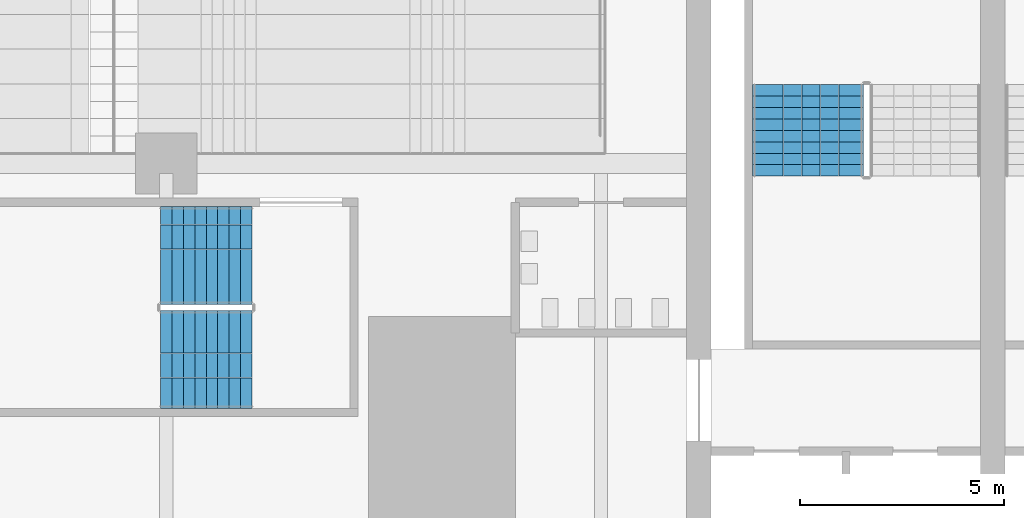
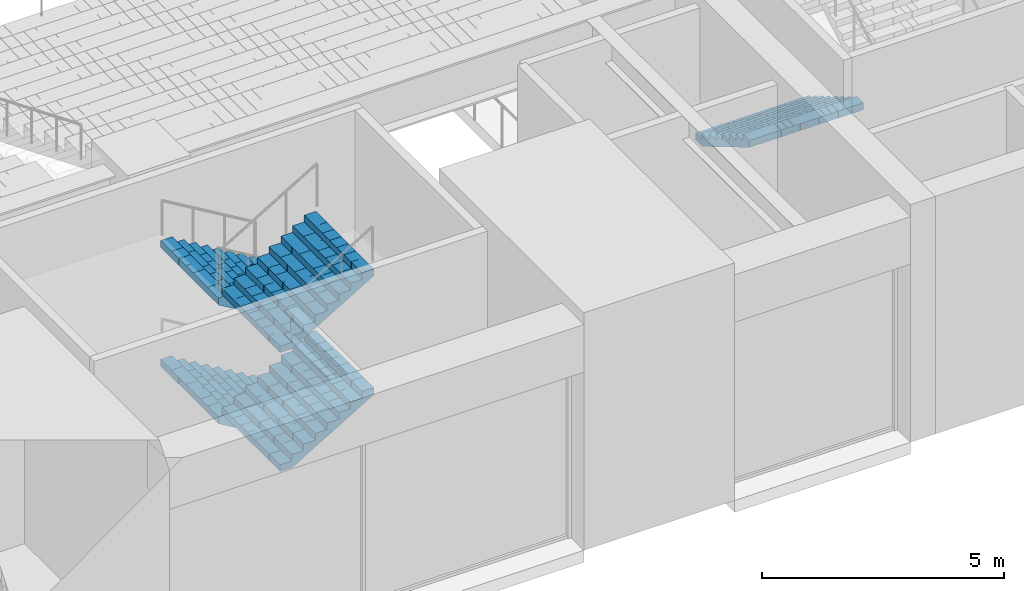
# One storey, part 39 of 61: 5 stair flights, 2 elements without a shape of their own.
"""IFC4 building model written with IfcOpenShell, lengths in metres."""

from ifc_helpers import new_model, si_unit, direction, frame, origin, place, context, subcontext, project, spatial, polyline, outline, extrude, material, type_object, element, aggregate, save


model = new_model("IFC4")

# Units and contexts
model_context = context("Model", 3, precision=1e-05, world=origin(), true_north=direction((0.0, 1.0)))
body_context = subcontext(model_context, "Body", "Model", "MODEL_VIEW")
ifc_project = project(units=[si_unit("LENGTHUNIT", "METRE"), si_unit("AREAUNIT", "SQUARE_METRE"), si_unit("VOLUMEUNIT", "CUBIC_METRE"), si_unit("PLANEANGLEUNIT", "RADIAN"), si_unit("MASSUNIT", "GRAM", prefix="KILO")], contexts=[model_context])

# Site, building, storey
site_placement = place(None, origin())
site = spatial("IfcSite", under=ifc_project, at=site_placement, CompositionType="ELEMENT")
building_placement = place(site_placement, origin())
building = spatial("IfcBuilding", under=site, at=building_placement, Name="Corbelhall Arena Tower", CompositionType="ELEMENT")
storey_placement = place(building_placement, frame((0.0, 0.0, 31.0)))
storey = spatial("IfcBuildingStorey", under=building, at=storey_placement, Name="L04", CompositionType="ELEMENT", Elevation=31.0)

# Stair, stair flights
ifc_material = material(Name="Reinforced concrete C40/50", Category="concrete")
stair_type = type_object("IfcStairType", Name="AR-EXIT-STAIR", PredefinedType="HALF_TURN_STAIR", material=ifc_material)
stair_1_placement = place(storey_placement, origin())
stair_1 = element("IfcStair", 1, at=stair_1_placement, inside=storey, type_object=stair_type, Name="L04 exit stair AS16", PredefinedType="HALF_TURN_STAIR")
stair_flight_type = type_object("IfcStairFlightType", Name="AR-EXIT-FLIGHT", PredefinedType="STRAIGHT", material=ifc_material)
stair_flight_1_placement = place(storey_placement, frame((22.35009765625, -31.5, 0.0), z_axis=(0.0, 0.0, 1.0), x_axis=(-1.0, 0.0, 0.0)))
stair_flight_1 = element("IfcStairFlight", 2, at=stair_flight_1_placement, type_object=stair_flight_type, Name="AS16 flight 1", NumberOfRisers=9, NumberOfTreads=8, PredefinedType="STRAIGHT", RiserHeight=0.166666667, TreadLength=0.28, context=body_context, shape_type="SweptSolid", body=[
    extrude(outline(polyline([(0.0, 0.0), (0.0, 0.166748046875), (0.280029296875, 0.166748046875), (0.280029296875, 0.333251953125), (0.56005859375, 0.333251953125), (0.56005859375, 0.5), (0.840087890625, 0.5), (0.840087890625, 0.666748046875), (1.1201171875, 0.666748046875), (1.1201171875, 0.833251953125), (1.39990234375, 0.833251953125), (1.39990234375, 1.0), (1.679931640625, 1.0), (1.679931640625, 1.166748046875), (1.9599609375, 1.166748046875), (1.9599609375, 1.333251953125), (2.239990234375, 1.333251953125), (2.239990234375, 1.5), (2.239990234375, 1.158935546875), (0.29296875, 0.0), (0.0, 0.0)])), frame((0.0, 1.199951171875, 0.0), z_axis=(0.0, -1.0, 0.0), x_axis=(1.0, 0.0, 0.0)), (0.0, 0.0, 1.0), 0.449951171875),
    extrude(outline(polyline([(0.0, 0.0), (0.0, 0.166748046875), (0.280029296875, 0.166748046875), (0.280029296875, 0.333251953125), (0.56005859375, 0.333251953125), (0.56005859375, 0.5), (0.840087890625, 0.5), (0.840087890625, 0.666748046875), (1.1201171875, 0.666748046875), (1.1201171875, 0.833251953125), (1.39990234375, 0.833251953125), (1.39990234375, 1.0), (1.679931640625, 1.0), (1.679931640625, 1.166748046875), (1.9599609375, 1.166748046875), (1.9599609375, 1.333251953125), (2.239990234375, 1.333251953125), (2.239990234375, 1.5), (2.239990234375, 1.158935546875), (0.29296875, 0.0), (0.0, 0.0)])), frame((0.0, 0.745849609375, 0.0), z_axis=(0.0, -1.0, 0.0), x_axis=(1.0, 0.0, 0.0)), (0.0, 0.0, 1.0), 0.295166015625),
    extrude(outline(polyline([(0.0, 0.0), (0.0, 0.166748046875), (0.280029296875, 0.166748046875), (0.280029296875, 0.333251953125), (0.56005859375, 0.333251953125), (0.56005859375, 0.5), (0.840087890625, 0.5), (0.840087890625, 0.666748046875), (1.1201171875, 0.666748046875), (1.1201171875, 0.833251953125), (1.39990234375, 0.833251953125), (1.39990234375, 1.0), (1.679931640625, 1.0), (1.679931640625, 1.166748046875), (1.9599609375, 1.166748046875), (1.9599609375, 1.333251953125), (2.239990234375, 1.333251953125), (2.239990234375, 1.5), (2.239990234375, 1.158935546875), (0.29296875, 0.0), (0.0, 0.0)])), frame((0.0, 0.44677734375, 0.0), z_axis=(0.0, -1.0, 0.0), x_axis=(1.0, 0.0, 0.0)), (0.0, 0.0, 1.0), 0.295166015625),
    extrude(outline(polyline([(0.0, 0.0), (0.0, 0.166748046875), (0.280029296875, 0.166748046875), (0.280029296875, 0.333251953125), (0.56005859375, 0.333251953125), (0.56005859375, 0.5), (0.840087890625, 0.5), (0.840087890625, 0.666748046875), (1.1201171875, 0.666748046875), (1.1201171875, 0.833251953125), (1.39990234375, 0.833251953125), (1.39990234375, 1.0), (1.679931640625, 1.0), (1.679931640625, 1.166748046875), (1.9599609375, 1.166748046875), (1.9599609375, 1.333251953125), (2.239990234375, 1.333251953125), (2.239990234375, 1.5), (2.239990234375, 1.158935546875), (0.29296875, 0.0), (0.0, 0.0)])), frame((0.0, 0.147705078125, 0.0), z_axis=(0.0, -1.0, 0.0), x_axis=(1.0, 0.0, 0.0)), (0.0, 0.0, 1.0), 0.295166015625),
    extrude(outline(polyline([(0.0, 0.0), (0.0, 0.166748046875), (0.280029296875, 0.166748046875), (0.280029296875, 0.333251953125), (0.56005859375, 0.333251953125), (0.56005859375, 0.5), (0.840087890625, 0.5), (0.840087890625, 0.666748046875), (1.1201171875, 0.666748046875), (1.1201171875, 0.833251953125), (1.39990234375, 0.833251953125), (1.39990234375, 1.0), (1.679931640625, 1.0), (1.679931640625, 1.166748046875), (1.9599609375, 1.166748046875), (1.9599609375, 1.333251953125), (2.239990234375, 1.333251953125), (2.239990234375, 1.5), (2.239990234375, 1.158935546875), (0.29296875, 0.0), (0.0, 0.0)])), frame((0.0, -0.151611328125, 0.0), z_axis=(0.0, -1.0, 0.0), x_axis=(1.0, 0.0, 0.0)), (0.0, 0.0, 1.0), 0.295166015625),
    extrude(outline(polyline([(0.0, 0.0), (0.0, 0.166748046875), (0.280029296875, 0.166748046875), (0.280029296875, 0.333251953125), (0.56005859375, 0.333251953125), (0.56005859375, 0.5), (0.840087890625, 0.5), (0.840087890625, 0.666748046875), (1.1201171875, 0.666748046875), (1.1201171875, 0.833251953125), (1.39990234375, 0.833251953125), (1.39990234375, 1.0), (1.679931640625, 1.0), (1.679931640625, 1.166748046875), (1.9599609375, 1.166748046875), (1.9599609375, 1.333251953125), (2.239990234375, 1.333251953125), (2.239990234375, 1.5), (2.239990234375, 1.158935546875), (0.29296875, 0.0), (0.0, 0.0)])), frame((0.0, -0.45068359375, 0.0), z_axis=(0.0, -1.0, 0.0), x_axis=(1.0, 0.0, 0.0)), (0.0, 0.0, 1.0), 0.295166015625),
    extrude(outline(polyline([(0.0, 0.0), (0.0, 0.166748046875), (0.280029296875, 0.166748046875), (0.280029296875, 0.333251953125), (0.56005859375, 0.333251953125), (0.56005859375, 0.5), (0.840087890625, 0.5), (0.840087890625, 0.666748046875), (1.1201171875, 0.666748046875), (1.1201171875, 0.833251953125), (1.39990234375, 0.833251953125), (1.39990234375, 1.0), (1.679931640625, 1.0), (1.679931640625, 1.166748046875), (1.9599609375, 1.166748046875), (1.9599609375, 1.333251953125), (2.239990234375, 1.333251953125), (2.239990234375, 1.5), (2.239990234375, 1.158935546875), (0.29296875, 0.0), (0.0, 0.0)])), frame((0.0, -0.75, 0.0), z_axis=(0.0, -1.0, 0.0), x_axis=(1.0, 0.0, 0.0)), (0.0, 0.0, 1.0), 0.449951171875),
])
stair_flight_2_placement = place(storey_placement, frame((20.110107421875, -34.050048828125, 1.5), z_axis=(0.0, 0.0, 1.0), x_axis=(1.0, 0.0, 0.0)))
stair_flight_2 = element("IfcStairFlight", 3, at=stair_flight_2_placement, type_object=stair_flight_type, Name="AS16 flight 2", NumberOfRisers=9, NumberOfTreads=8, PredefinedType="STRAIGHT", RiserHeight=0.166666667, TreadLength=0.28, context=body_context, shape_type="SweptSolid", body=[
    extrude(outline(polyline([(0.0, 0.0), (0.0, 0.166748046875), (0.280029296875, 0.166748046875), (0.280029296875, 0.333251953125), (0.56005859375, 0.333251953125), (0.56005859375, 0.5), (0.840087890625, 0.5), (0.840087890625, 0.666748046875), (1.1201171875, 0.666748046875), (1.1201171875, 0.833251953125), (1.39990234375, 0.833251953125), (1.39990234375, 1.0), (1.679931640625, 1.0), (1.679931640625, 1.166748046875), (1.9599609375, 1.166748046875), (1.9599609375, 1.333251953125), (2.239990234375, 1.333251953125), (2.239990234375, 1.5), (2.239990234375, 1.158935546875), (0.29296875, 0.0), (0.0, 0.0)])), frame((0.0, 1.199951171875, 0.0), z_axis=(0.0, -1.0, 0.0), x_axis=(1.0, 0.0, 0.0)), (0.0, 0.0, 1.0), 0.449951171875),
    extrude(outline(polyline([(0.0, 0.0), (0.0, 0.166748046875), (0.280029296875, 0.166748046875), (0.280029296875, 0.333251953125), (0.56005859375, 0.333251953125), (0.56005859375, 0.5), (0.840087890625, 0.5), (0.840087890625, 0.666748046875), (1.1201171875, 0.666748046875), (1.1201171875, 0.833251953125), (1.39990234375, 0.833251953125), (1.39990234375, 1.0), (1.679931640625, 1.0), (1.679931640625, 1.166748046875), (1.9599609375, 1.166748046875), (1.9599609375, 1.333251953125), (2.239990234375, 1.333251953125), (2.239990234375, 1.5), (2.239990234375, 1.158935546875), (0.29296875, 0.0), (0.0, 0.0)])), frame((0.0, 0.745849609375, 0.0), z_axis=(0.0, -1.0, 0.0), x_axis=(1.0, 0.0, 0.0)), (0.0, 0.0, 1.0), 0.295166015625),
    extrude(outline(polyline([(0.0, 0.0), (0.0, 0.166748046875), (0.280029296875, 0.166748046875), (0.280029296875, 0.333251953125), (0.56005859375, 0.333251953125), (0.56005859375, 0.5), (0.840087890625, 0.5), (0.840087890625, 0.666748046875), (1.1201171875, 0.666748046875), (1.1201171875, 0.833251953125), (1.39990234375, 0.833251953125), (1.39990234375, 1.0), (1.679931640625, 1.0), (1.679931640625, 1.166748046875), (1.9599609375, 1.166748046875), (1.9599609375, 1.333251953125), (2.239990234375, 1.333251953125), (2.239990234375, 1.5), (2.239990234375, 1.158935546875), (0.29296875, 0.0), (0.0, 0.0)])), frame((0.0, 0.44677734375, 0.0), z_axis=(0.0, -1.0, 0.0), x_axis=(1.0, 0.0, 0.0)), (0.0, 0.0, 1.0), 0.295166015625),
    extrude(outline(polyline([(0.0, 0.0), (0.0, 0.166748046875), (0.280029296875, 0.166748046875), (0.280029296875, 0.333251953125), (0.56005859375, 0.333251953125), (0.56005859375, 0.5), (0.840087890625, 0.5), (0.840087890625, 0.666748046875), (1.1201171875, 0.666748046875), (1.1201171875, 0.833251953125), (1.39990234375, 0.833251953125), (1.39990234375, 1.0), (1.679931640625, 1.0), (1.679931640625, 1.166748046875), (1.9599609375, 1.166748046875), (1.9599609375, 1.333251953125), (2.239990234375, 1.333251953125), (2.239990234375, 1.5), (2.239990234375, 1.158935546875), (0.29296875, 0.0), (0.0, 0.0)])), frame((0.0, 0.147705078125, 0.0), z_axis=(0.0, -1.0, 0.0), x_axis=(1.0, 0.0, 0.0)), (0.0, 0.0, 1.0), 0.295166015625),
    extrude(outline(polyline([(0.0, 0.0), (0.0, 0.166748046875), (0.280029296875, 0.166748046875), (0.280029296875, 0.333251953125), (0.56005859375, 0.333251953125), (0.56005859375, 0.5), (0.840087890625, 0.5), (0.840087890625, 0.666748046875), (1.1201171875, 0.666748046875), (1.1201171875, 0.833251953125), (1.39990234375, 0.833251953125), (1.39990234375, 1.0), (1.679931640625, 1.0), (1.679931640625, 1.166748046875), (1.9599609375, 1.166748046875), (1.9599609375, 1.333251953125), (2.239990234375, 1.333251953125), (2.239990234375, 1.5), (2.239990234375, 1.158935546875), (0.29296875, 0.0), (0.0, 0.0)])), frame((0.0, -0.151611328125, 0.0), z_axis=(0.0, -1.0, 0.0), x_axis=(1.0, 0.0, 0.0)), (0.0, 0.0, 1.0), 0.295166015625),
    extrude(outline(polyline([(0.0, 0.0), (0.0, 0.166748046875), (0.280029296875, 0.166748046875), (0.280029296875, 0.333251953125), (0.56005859375, 0.333251953125), (0.56005859375, 0.5), (0.840087890625, 0.5), (0.840087890625, 0.666748046875), (1.1201171875, 0.666748046875), (1.1201171875, 0.833251953125), (1.39990234375, 0.833251953125), (1.39990234375, 1.0), (1.679931640625, 1.0), (1.679931640625, 1.166748046875), (1.9599609375, 1.166748046875), (1.9599609375, 1.333251953125), (2.239990234375, 1.333251953125), (2.239990234375, 1.5), (2.239990234375, 1.158935546875), (0.29296875, 0.0), (0.0, 0.0)])), frame((0.0, -0.45068359375, 0.0), z_axis=(0.0, -1.0, 0.0), x_axis=(1.0, 0.0, 0.0)), (0.0, 0.0, 1.0), 0.295166015625),
    extrude(outline(polyline([(0.0, 0.0), (0.0, 0.166748046875), (0.280029296875, 0.166748046875), (0.280029296875, 0.333251953125), (0.56005859375, 0.333251953125), (0.56005859375, 0.5), (0.840087890625, 0.5), (0.840087890625, 0.666748046875), (1.1201171875, 0.666748046875), (1.1201171875, 0.833251953125), (1.39990234375, 0.833251953125), (1.39990234375, 1.0), (1.679931640625, 1.0), (1.679931640625, 1.166748046875), (1.9599609375, 1.166748046875), (1.9599609375, 1.333251953125), (2.239990234375, 1.333251953125), (2.239990234375, 1.5), (2.239990234375, 1.158935546875), (0.29296875, 0.0), (0.0, 0.0)])), frame((0.0, -0.75, 0.0), z_axis=(0.0, -1.0, 0.0), x_axis=(1.0, 0.0, 0.0)), (0.0, 0.0, 1.0), 0.449951171875),
])
stair_flight_3_placement = place(storey_placement, frame((22.35009765625, -31.5, 3.0), z_axis=(0.0, 0.0, 1.0), x_axis=(-1.0, 0.0, 0.0)))
stair_flight_3 = element("IfcStairFlight", 4, at=stair_flight_3_placement, type_object=stair_flight_type, Name="AS16 flight 3", NumberOfRisers=9, NumberOfTreads=8, PredefinedType="STRAIGHT", RiserHeight=0.166666667, TreadLength=0.28, context=body_context, shape_type="SweptSolid", body=[
    extrude(outline(polyline([(0.0, 0.0), (0.0, 0.166748046875), (0.280029296875, 0.166748046875), (0.280029296875, 0.333251953125), (0.56005859375, 0.333251953125), (0.56005859375, 0.5), (0.840087890625, 0.5), (0.840087890625, 0.666748046875), (1.1201171875, 0.666748046875), (1.1201171875, 0.833251953125), (1.39990234375, 0.833251953125), (1.39990234375, 1.0), (1.679931640625, 1.0), (1.679931640625, 1.166748046875), (1.9599609375, 1.166748046875), (1.9599609375, 1.333251953125), (2.239990234375, 1.333251953125), (2.239990234375, 1.5), (2.239990234375, 1.158935546875), (0.29296875, 0.0), (0.0, 0.0)])), frame((0.0, 1.199951171875, 0.0), z_axis=(0.0, -1.0, 0.0), x_axis=(1.0, 0.0, 0.0)), (0.0, 0.0, 1.0), 0.449951171875),
    extrude(outline(polyline([(0.0, 0.0), (0.0, 0.166748046875), (0.280029296875, 0.166748046875), (0.280029296875, 0.333251953125), (0.56005859375, 0.333251953125), (0.56005859375, 0.5), (0.840087890625, 0.5), (0.840087890625, 0.666748046875), (1.1201171875, 0.666748046875), (1.1201171875, 0.833251953125), (1.39990234375, 0.833251953125), (1.39990234375, 1.0), (1.679931640625, 1.0), (1.679931640625, 1.166748046875), (1.9599609375, 1.166748046875), (1.9599609375, 1.333251953125), (2.239990234375, 1.333251953125), (2.239990234375, 1.5), (2.239990234375, 1.158935546875), (0.29296875, 0.0), (0.0, 0.0)])), frame((0.0, 0.745849609375, 0.0), z_axis=(0.0, -1.0, 0.0), x_axis=(1.0, 0.0, 0.0)), (0.0, 0.0, 1.0), 0.295166015625),
    extrude(outline(polyline([(0.0, 0.0), (0.0, 0.166748046875), (0.280029296875, 0.166748046875), (0.280029296875, 0.333251953125), (0.56005859375, 0.333251953125), (0.56005859375, 0.5), (0.840087890625, 0.5), (0.840087890625, 0.666748046875), (1.1201171875, 0.666748046875), (1.1201171875, 0.833251953125), (1.39990234375, 0.833251953125), (1.39990234375, 1.0), (1.679931640625, 1.0), (1.679931640625, 1.166748046875), (1.9599609375, 1.166748046875), (1.9599609375, 1.333251953125), (2.239990234375, 1.333251953125), (2.239990234375, 1.5), (2.239990234375, 1.158935546875), (0.29296875, 0.0), (0.0, 0.0)])), frame((0.0, 0.44677734375, 0.0), z_axis=(0.0, -1.0, 0.0), x_axis=(1.0, 0.0, 0.0)), (0.0, 0.0, 1.0), 0.295166015625),
    extrude(outline(polyline([(0.0, 0.0), (0.0, 0.166748046875), (0.280029296875, 0.166748046875), (0.280029296875, 0.333251953125), (0.56005859375, 0.333251953125), (0.56005859375, 0.5), (0.840087890625, 0.5), (0.840087890625, 0.666748046875), (1.1201171875, 0.666748046875), (1.1201171875, 0.833251953125), (1.39990234375, 0.833251953125), (1.39990234375, 1.0), (1.679931640625, 1.0), (1.679931640625, 1.166748046875), (1.9599609375, 1.166748046875), (1.9599609375, 1.333251953125), (2.239990234375, 1.333251953125), (2.239990234375, 1.5), (2.239990234375, 1.158935546875), (0.29296875, 0.0), (0.0, 0.0)])), frame((0.0, 0.147705078125, 0.0), z_axis=(0.0, -1.0, 0.0), x_axis=(1.0, 0.0, 0.0)), (0.0, 0.0, 1.0), 0.295166015625),
    extrude(outline(polyline([(0.0, 0.0), (0.0, 0.166748046875), (0.280029296875, 0.166748046875), (0.280029296875, 0.333251953125), (0.56005859375, 0.333251953125), (0.56005859375, 0.5), (0.840087890625, 0.5), (0.840087890625, 0.666748046875), (1.1201171875, 0.666748046875), (1.1201171875, 0.833251953125), (1.39990234375, 0.833251953125), (1.39990234375, 1.0), (1.679931640625, 1.0), (1.679931640625, 1.166748046875), (1.9599609375, 1.166748046875), (1.9599609375, 1.333251953125), (2.239990234375, 1.333251953125), (2.239990234375, 1.5), (2.239990234375, 1.158935546875), (0.29296875, 0.0), (0.0, 0.0)])), frame((0.0, -0.151611328125, 0.0), z_axis=(0.0, -1.0, 0.0), x_axis=(1.0, 0.0, 0.0)), (0.0, 0.0, 1.0), 0.295166015625),
    extrude(outline(polyline([(0.0, 0.0), (0.0, 0.166748046875), (0.280029296875, 0.166748046875), (0.280029296875, 0.333251953125), (0.56005859375, 0.333251953125), (0.56005859375, 0.5), (0.840087890625, 0.5), (0.840087890625, 0.666748046875), (1.1201171875, 0.666748046875), (1.1201171875, 0.833251953125), (1.39990234375, 0.833251953125), (1.39990234375, 1.0), (1.679931640625, 1.0), (1.679931640625, 1.166748046875), (1.9599609375, 1.166748046875), (1.9599609375, 1.333251953125), (2.239990234375, 1.333251953125), (2.239990234375, 1.5), (2.239990234375, 1.158935546875), (0.29296875, 0.0), (0.0, 0.0)])), frame((0.0, -0.45068359375, 0.0), z_axis=(0.0, -1.0, 0.0), x_axis=(1.0, 0.0, 0.0)), (0.0, 0.0, 1.0), 0.295166015625),
    extrude(outline(polyline([(0.0, 0.0), (0.0, 0.166748046875), (0.280029296875, 0.166748046875), (0.280029296875, 0.333251953125), (0.56005859375, 0.333251953125), (0.56005859375, 0.5), (0.840087890625, 0.5), (0.840087890625, 0.666748046875), (1.1201171875, 0.666748046875), (1.1201171875, 0.833251953125), (1.39990234375, 0.833251953125), (1.39990234375, 1.0), (1.679931640625, 1.0), (1.679931640625, 1.166748046875), (1.9599609375, 1.166748046875), (1.9599609375, 1.333251953125), (2.239990234375, 1.333251953125), (2.239990234375, 1.5), (2.239990234375, 1.158935546875), (0.29296875, 0.0), (0.0, 0.0)])), frame((0.0, -0.75, 0.0), z_axis=(0.0, -1.0, 0.0), x_axis=(1.0, 0.0, 0.0)), (0.0, 0.0, 1.0), 0.449951171875),
])
stair_flight_4_placement = place(storey_placement, frame((20.110107421875, -34.050048828125, 4.5), z_axis=(0.0, 0.0, 1.0), x_axis=(1.0, 0.0, 0.0)))
stair_flight_4 = element("IfcStairFlight", 5, at=stair_flight_4_placement, type_object=stair_flight_type, Name="AS16 flight 4", NumberOfRisers=9, NumberOfTreads=8, PredefinedType="STRAIGHT", RiserHeight=0.166666667, TreadLength=0.28, context=body_context, shape_type="SweptSolid", body=[
    extrude(outline(polyline([(0.0, 0.0), (0.0, 0.166748046875), (0.280029296875, 0.166748046875), (0.280029296875, 0.333251953125), (0.56005859375, 0.333251953125), (0.56005859375, 0.5), (0.840087890625, 0.5), (0.840087890625, 0.666748046875), (1.1201171875, 0.666748046875), (1.1201171875, 0.833251953125), (1.39990234375, 0.833251953125), (1.39990234375, 1.0), (1.679931640625, 1.0), (1.679931640625, 1.166748046875), (1.9599609375, 1.166748046875), (1.9599609375, 1.333251953125), (2.239990234375, 1.333251953125), (2.239990234375, 1.5), (2.239990234375, 1.158935546875), (0.29296875, 0.0), (0.0, 0.0)])), frame((0.0, 1.199951171875, 0.0), z_axis=(0.0, -1.0, 0.0), x_axis=(1.0, 0.0, 0.0)), (0.0, 0.0, 1.0), 0.449951171875),
    extrude(outline(polyline([(0.0, 0.0), (0.0, 0.166748046875), (0.280029296875, 0.166748046875), (0.280029296875, 0.333251953125), (0.56005859375, 0.333251953125), (0.56005859375, 0.5), (0.840087890625, 0.5), (0.840087890625, 0.666748046875), (1.1201171875, 0.666748046875), (1.1201171875, 0.833251953125), (1.39990234375, 0.833251953125), (1.39990234375, 1.0), (1.679931640625, 1.0), (1.679931640625, 1.166748046875), (1.9599609375, 1.166748046875), (1.9599609375, 1.333251953125), (2.239990234375, 1.333251953125), (2.239990234375, 1.5), (2.239990234375, 1.158935546875), (0.29296875, 0.0), (0.0, 0.0)])), frame((0.0, 0.745849609375, 0.0), z_axis=(0.0, -1.0, 0.0), x_axis=(1.0, 0.0, 0.0)), (0.0, 0.0, 1.0), 0.295166015625),
    extrude(outline(polyline([(0.0, 0.0), (0.0, 0.166748046875), (0.280029296875, 0.166748046875), (0.280029296875, 0.333251953125), (0.56005859375, 0.333251953125), (0.56005859375, 0.5), (0.840087890625, 0.5), (0.840087890625, 0.666748046875), (1.1201171875, 0.666748046875), (1.1201171875, 0.833251953125), (1.39990234375, 0.833251953125), (1.39990234375, 1.0), (1.679931640625, 1.0), (1.679931640625, 1.166748046875), (1.9599609375, 1.166748046875), (1.9599609375, 1.333251953125), (2.239990234375, 1.333251953125), (2.239990234375, 1.5), (2.239990234375, 1.158935546875), (0.29296875, 0.0), (0.0, 0.0)])), frame((0.0, 0.44677734375, 0.0), z_axis=(0.0, -1.0, 0.0), x_axis=(1.0, 0.0, 0.0)), (0.0, 0.0, 1.0), 0.295166015625),
    extrude(outline(polyline([(0.0, 0.0), (0.0, 0.166748046875), (0.280029296875, 0.166748046875), (0.280029296875, 0.333251953125), (0.56005859375, 0.333251953125), (0.56005859375, 0.5), (0.840087890625, 0.5), (0.840087890625, 0.666748046875), (1.1201171875, 0.666748046875), (1.1201171875, 0.833251953125), (1.39990234375, 0.833251953125), (1.39990234375, 1.0), (1.679931640625, 1.0), (1.679931640625, 1.166748046875), (1.9599609375, 1.166748046875), (1.9599609375, 1.333251953125), (2.239990234375, 1.333251953125), (2.239990234375, 1.5), (2.239990234375, 1.158935546875), (0.29296875, 0.0), (0.0, 0.0)])), frame((0.0, 0.147705078125, 0.0), z_axis=(0.0, -1.0, 0.0), x_axis=(1.0, 0.0, 0.0)), (0.0, 0.0, 1.0), 0.295166015625),
    extrude(outline(polyline([(0.0, 0.0), (0.0, 0.166748046875), (0.280029296875, 0.166748046875), (0.280029296875, 0.333251953125), (0.56005859375, 0.333251953125), (0.56005859375, 0.5), (0.840087890625, 0.5), (0.840087890625, 0.666748046875), (1.1201171875, 0.666748046875), (1.1201171875, 0.833251953125), (1.39990234375, 0.833251953125), (1.39990234375, 1.0), (1.679931640625, 1.0), (1.679931640625, 1.166748046875), (1.9599609375, 1.166748046875), (1.9599609375, 1.333251953125), (2.239990234375, 1.333251953125), (2.239990234375, 1.5), (2.239990234375, 1.158935546875), (0.29296875, 0.0), (0.0, 0.0)])), frame((0.0, -0.151611328125, 0.0), z_axis=(0.0, -1.0, 0.0), x_axis=(1.0, 0.0, 0.0)), (0.0, 0.0, 1.0), 0.295166015625),
    extrude(outline(polyline([(0.0, 0.0), (0.0, 0.166748046875), (0.280029296875, 0.166748046875), (0.280029296875, 0.333251953125), (0.56005859375, 0.333251953125), (0.56005859375, 0.5), (0.840087890625, 0.5), (0.840087890625, 0.666748046875), (1.1201171875, 0.666748046875), (1.1201171875, 0.833251953125), (1.39990234375, 0.833251953125), (1.39990234375, 1.0), (1.679931640625, 1.0), (1.679931640625, 1.166748046875), (1.9599609375, 1.166748046875), (1.9599609375, 1.333251953125), (2.239990234375, 1.333251953125), (2.239990234375, 1.5), (2.239990234375, 1.158935546875), (0.29296875, 0.0), (0.0, 0.0)])), frame((0.0, -0.45068359375, 0.0), z_axis=(0.0, -1.0, 0.0), x_axis=(1.0, 0.0, 0.0)), (0.0, 0.0, 1.0), 0.295166015625),
    extrude(outline(polyline([(0.0, 0.0), (0.0, 0.166748046875), (0.280029296875, 0.166748046875), (0.280029296875, 0.333251953125), (0.56005859375, 0.333251953125), (0.56005859375, 0.5), (0.840087890625, 0.5), (0.840087890625, 0.666748046875), (1.1201171875, 0.666748046875), (1.1201171875, 0.833251953125), (1.39990234375, 0.833251953125), (1.39990234375, 1.0), (1.679931640625, 1.0), (1.679931640625, 1.166748046875), (1.9599609375, 1.166748046875), (1.9599609375, 1.333251953125), (2.239990234375, 1.333251953125), (2.239990234375, 1.5), (2.239990234375, 1.158935546875), (0.29296875, 0.0), (0.0, 0.0)])), frame((0.0, -0.75, 0.0), z_axis=(0.0, -1.0, 0.0), x_axis=(1.0, 0.0, 0.0)), (0.0, 0.0, 1.0), 0.449951171875),
])
aggregate(stair_1, [stair_flight_1, stair_flight_2, stair_flight_3, stair_flight_4])

# Stair, stair flight
stair_2_placement = place(storey_placement, origin())
stair_2 = element("IfcStair", 6, at=stair_2_placement, inside=storey, type_object=stair_type, Name="L04 exit stair AS5", PredefinedType="HALF_TURN_STAIR")
stair_flight_5_placement = place(storey_placement, frame((35.969970703125, -27.320068359375, 0.0), z_axis=(0.0, 0.0, 1.0), x_axis=(0.0, -1.0, 0.0)))
stair_flight_5 = element("IfcStairFlight", 7, at=stair_flight_5_placement, type_object=stair_flight_type, Name="AS5 flight 1", NumberOfRisers=9, NumberOfTreads=8, PredefinedType="STRAIGHT", RiserHeight=0.166666667, TreadLength=0.28, context=body_context, shape_type="SweptSolid", body=[
    extrude(outline(polyline([(0.0, 0.0), (0.0, 0.166748046875), (0.280029296875, 0.166748046875), (0.280029296875, 0.333251953125), (0.56005859375, 0.333251953125), (0.56005859375, 0.5), (0.840087890625, 0.5), (0.840087890625, 0.666748046875), (1.1201171875, 0.666748046875), (1.1201171875, 0.833251953125), (1.39990234375, 0.833251953125), (1.39990234375, 1.0), (1.679931640625, 1.0), (1.679931640625, 1.166748046875), (1.9599609375, 1.166748046875), (1.9599609375, 1.333251953125), (2.239990234375, 1.333251953125), (2.239990234375, 1.5), (2.239990234375, 1.158935546875), (0.29296875, 0.0), (0.0, 0.0)])), frame((0.0, 1.35986328125, 0.0), z_axis=(0.0, -1.0, 0.0), x_axis=(1.0, 0.0, 0.0)), (0.0, 0.0, 1.0), 0.449951171875),
    extrude(outline(polyline([(0.0, 0.0), (0.0, 0.166748046875), (0.280029296875, 0.166748046875), (0.280029296875, 0.333251953125), (0.56005859375, 0.333251953125), (0.56005859375, 0.5), (0.840087890625, 0.5), (0.840087890625, 0.666748046875), (1.1201171875, 0.666748046875), (1.1201171875, 0.833251953125), (1.39990234375, 0.833251953125), (1.39990234375, 1.0), (1.679931640625, 1.0), (1.679931640625, 1.166748046875), (1.9599609375, 1.166748046875), (1.9599609375, 1.333251953125), (2.239990234375, 1.333251953125), (2.239990234375, 1.5), (2.239990234375, 1.158935546875), (0.29296875, 0.0), (0.0, 0.0)])), frame((0.0, 0.906005859375, 0.0), z_axis=(0.0, -1.0, 0.0), x_axis=(1.0, 0.0, 0.0)), (0.0, 0.0, 1.0), 0.147216796875),
    extrude(outline(polyline([(0.0, 0.0), (0.0, 0.166748046875), (0.280029296875, 0.166748046875), (0.280029296875, 0.333251953125), (0.56005859375, 0.333251953125), (0.56005859375, 0.5), (0.840087890625, 0.5), (0.840087890625, 0.666748046875), (1.1201171875, 0.666748046875), (1.1201171875, 0.833251953125), (1.39990234375, 0.833251953125), (1.39990234375, 1.0), (1.679931640625, 1.0), (1.679931640625, 1.166748046875), (1.9599609375, 1.166748046875), (1.9599609375, 1.333251953125), (2.239990234375, 1.333251953125), (2.239990234375, 1.5), (2.239990234375, 1.158935546875), (0.29296875, 0.0), (0.0, 0.0)])), frame((0.0, 0.754638671875, 0.0), z_axis=(0.0, -1.0, 0.0), x_axis=(1.0, 0.0, 0.0)), (0.0, 0.0, 1.0), 0.147216796875),
    extrude(outline(polyline([(0.0, 0.0), (0.0, 0.166748046875), (0.280029296875, 0.166748046875), (0.280029296875, 0.333251953125), (0.56005859375, 0.333251953125), (0.56005859375, 0.5), (0.840087890625, 0.5), (0.840087890625, 0.666748046875), (1.1201171875, 0.666748046875), (1.1201171875, 0.833251953125), (1.39990234375, 0.833251953125), (1.39990234375, 1.0), (1.679931640625, 1.0), (1.679931640625, 1.166748046875), (1.9599609375, 1.166748046875), (1.9599609375, 1.333251953125), (2.239990234375, 1.333251953125), (2.239990234375, 1.5), (2.239990234375, 1.158935546875), (0.29296875, 0.0), (0.0, 0.0)])), frame((0.0, 0.603271484375, 0.0), z_axis=(0.0, -1.0, 0.0), x_axis=(1.0, 0.0, 0.0)), (0.0, 0.0, 1.0), 0.147216796875),
    extrude(outline(polyline([(0.0, 0.0), (0.0, 0.166748046875), (0.280029296875, 0.166748046875), (0.280029296875, 0.333251953125), (0.56005859375, 0.333251953125), (0.56005859375, 0.5), (0.840087890625, 0.5), (0.840087890625, 0.666748046875), (1.1201171875, 0.666748046875), (1.1201171875, 0.833251953125), (1.39990234375, 0.833251953125), (1.39990234375, 1.0), (1.679931640625, 1.0), (1.679931640625, 1.166748046875), (1.9599609375, 1.166748046875), (1.9599609375, 1.333251953125), (2.239990234375, 1.333251953125), (2.239990234375, 1.5), (2.239990234375, 1.158935546875), (0.29296875, 0.0), (0.0, 0.0)])), frame((0.0, 0.451904296875, 0.0), z_axis=(0.0, -1.0, 0.0), x_axis=(1.0, 0.0, 0.0)), (0.0, 0.0, 1.0), 0.147216796875),
    extrude(outline(polyline([(0.0, 0.0), (0.0, 0.166748046875), (0.280029296875, 0.166748046875), (0.280029296875, 0.333251953125), (0.56005859375, 0.333251953125), (0.56005859375, 0.5), (0.840087890625, 0.5), (0.840087890625, 0.666748046875), (1.1201171875, 0.666748046875), (1.1201171875, 0.833251953125), (1.39990234375, 0.833251953125), (1.39990234375, 1.0), (1.679931640625, 1.0), (1.679931640625, 1.166748046875), (1.9599609375, 1.166748046875), (1.9599609375, 1.333251953125), (2.239990234375, 1.333251953125), (2.239990234375, 1.5), (2.239990234375, 1.158935546875), (0.29296875, 0.0), (0.0, 0.0)])), frame((0.0, 0.30078125, 0.0), z_axis=(0.0, -1.0, 0.0), x_axis=(1.0, 0.0, 0.0)), (0.0, 0.0, 1.0), 0.147216796875),
    extrude(outline(polyline([(0.0, 0.0), (0.0, 0.166748046875), (0.280029296875, 0.166748046875), (0.280029296875, 0.333251953125), (0.56005859375, 0.333251953125), (0.56005859375, 0.5), (0.840087890625, 0.5), (0.840087890625, 0.666748046875), (1.1201171875, 0.666748046875), (1.1201171875, 0.833251953125), (1.39990234375, 0.833251953125), (1.39990234375, 1.0), (1.679931640625, 1.0), (1.679931640625, 1.166748046875), (1.9599609375, 1.166748046875), (1.9599609375, 1.333251953125), (2.239990234375, 1.333251953125), (2.239990234375, 1.5), (2.239990234375, 1.158935546875), (0.29296875, 0.0), (0.0, 0.0)])), frame((0.0, 0.1494140625, 0.0), z_axis=(0.0, -1.0, 0.0), x_axis=(1.0, 0.0, 0.0)), (0.0, 0.0, 1.0), 0.147216796875),
    extrude(outline(polyline([(0.0, 0.0), (0.0, 0.166748046875), (0.280029296875, 0.166748046875), (0.280029296875, 0.333251953125), (0.56005859375, 0.333251953125), (0.56005859375, 0.5), (0.840087890625, 0.5), (0.840087890625, 0.666748046875), (1.1201171875, 0.666748046875), (1.1201171875, 0.833251953125), (1.39990234375, 0.833251953125), (1.39990234375, 1.0), (1.679931640625, 1.0), (1.679931640625, 1.166748046875), (1.9599609375, 1.166748046875), (1.9599609375, 1.333251953125), (2.239990234375, 1.333251953125), (2.239990234375, 1.5), (2.239990234375, 1.158935546875), (0.29296875, 0.0), (0.0, 0.0)])), frame((0.0, -0.001953125, 0.0), z_axis=(0.0, -1.0, 0.0), x_axis=(1.0, 0.0, 0.0)), (0.0, 0.0, 1.0), 0.147216796875),
    extrude(outline(polyline([(0.0, 0.0), (0.0, 0.166748046875), (0.280029296875, 0.166748046875), (0.280029296875, 0.333251953125), (0.56005859375, 0.333251953125), (0.56005859375, 0.5), (0.840087890625, 0.5), (0.840087890625, 0.666748046875), (1.1201171875, 0.666748046875), (1.1201171875, 0.833251953125), (1.39990234375, 0.833251953125), (1.39990234375, 1.0), (1.679931640625, 1.0), (1.679931640625, 1.166748046875), (1.9599609375, 1.166748046875), (1.9599609375, 1.333251953125), (2.239990234375, 1.333251953125), (2.239990234375, 1.5), (2.239990234375, 1.158935546875), (0.29296875, 0.0), (0.0, 0.0)])), frame((0.0, -0.1533203125, 0.0), z_axis=(0.0, -1.0, 0.0), x_axis=(1.0, 0.0, 0.0)), (0.0, 0.0, 1.0), 0.147216796875),
    extrude(outline(polyline([(0.0, 0.0), (0.0, 0.166748046875), (0.280029296875, 0.166748046875), (0.280029296875, 0.333251953125), (0.56005859375, 0.333251953125), (0.56005859375, 0.5), (0.840087890625, 0.5), (0.840087890625, 0.666748046875), (1.1201171875, 0.666748046875), (1.1201171875, 0.833251953125), (1.39990234375, 0.833251953125), (1.39990234375, 1.0), (1.679931640625, 1.0), (1.679931640625, 1.166748046875), (1.9599609375, 1.166748046875), (1.9599609375, 1.333251953125), (2.239990234375, 1.333251953125), (2.239990234375, 1.5), (2.239990234375, 1.158935546875), (0.29296875, 0.0), (0.0, 0.0)])), frame((0.0, -0.3046875, 0.0), z_axis=(0.0, -1.0, 0.0), x_axis=(1.0, 0.0, 0.0)), (0.0, 0.0, 1.0), 0.147216796875),
    extrude(outline(polyline([(0.0, 0.0), (0.0, 0.166748046875), (0.280029296875, 0.166748046875), (0.280029296875, 0.333251953125), (0.56005859375, 0.333251953125), (0.56005859375, 0.5), (0.840087890625, 0.5), (0.840087890625, 0.666748046875), (1.1201171875, 0.666748046875), (1.1201171875, 0.833251953125), (1.39990234375, 0.833251953125), (1.39990234375, 1.0), (1.679931640625, 1.0), (1.679931640625, 1.166748046875), (1.9599609375, 1.166748046875), (1.9599609375, 1.333251953125), (2.239990234375, 1.333251953125), (2.239990234375, 1.5), (2.239990234375, 1.158935546875), (0.29296875, 0.0), (0.0, 0.0)])), frame((0.0, -0.4560546875, 0.0), z_axis=(0.0, -1.0, 0.0), x_axis=(1.0, 0.0, 0.0)), (0.0, 0.0, 1.0), 0.147216796875),
    extrude(outline(polyline([(0.0, 0.0), (0.0, 0.166748046875), (0.280029296875, 0.166748046875), (0.280029296875, 0.333251953125), (0.56005859375, 0.333251953125), (0.56005859375, 0.5), (0.840087890625, 0.5), (0.840087890625, 0.666748046875), (1.1201171875, 0.666748046875), (1.1201171875, 0.833251953125), (1.39990234375, 0.833251953125), (1.39990234375, 1.0), (1.679931640625, 1.0), (1.679931640625, 1.166748046875), (1.9599609375, 1.166748046875), (1.9599609375, 1.333251953125), (2.239990234375, 1.333251953125), (2.239990234375, 1.5), (2.239990234375, 1.158935546875), (0.29296875, 0.0), (0.0, 0.0)])), frame((0.0, -0.607421875, 0.0), z_axis=(0.0, -1.0, 0.0), x_axis=(1.0, 0.0, 0.0)), (0.0, 0.0, 1.0), 0.147216796875),
    extrude(outline(polyline([(0.0, 0.0), (0.0, 0.166748046875), (0.280029296875, 0.166748046875), (0.280029296875, 0.333251953125), (0.56005859375, 0.333251953125), (0.56005859375, 0.5), (0.840087890625, 0.5), (0.840087890625, 0.666748046875), (1.1201171875, 0.666748046875), (1.1201171875, 0.833251953125), (1.39990234375, 0.833251953125), (1.39990234375, 1.0), (1.679931640625, 1.0), (1.679931640625, 1.166748046875), (1.9599609375, 1.166748046875), (1.9599609375, 1.333251953125), (2.239990234375, 1.333251953125), (2.239990234375, 1.5), (2.239990234375, 1.158935546875), (0.29296875, 0.0), (0.0, 0.0)])), frame((0.0, -0.758544921875, 0.0), z_axis=(0.0, -1.0, 0.0), x_axis=(1.0, 0.0, 0.0)), (0.0, 0.0, 1.0), 0.147216796875),
    extrude(outline(polyline([(0.0, 0.0), (0.0, 0.166748046875), (0.280029296875, 0.166748046875), (0.280029296875, 0.333251953125), (0.56005859375, 0.333251953125), (0.56005859375, 0.5), (0.840087890625, 0.5), (0.840087890625, 0.666748046875), (1.1201171875, 0.666748046875), (1.1201171875, 0.833251953125), (1.39990234375, 0.833251953125), (1.39990234375, 1.0), (1.679931640625, 1.0), (1.679931640625, 1.166748046875), (1.9599609375, 1.166748046875), (1.9599609375, 1.333251953125), (2.239990234375, 1.333251953125), (2.239990234375, 1.5), (2.239990234375, 1.158935546875), (0.29296875, 0.0), (0.0, 0.0)])), frame((0.0, -0.909912109375, 0.0), z_axis=(0.0, -1.0, 0.0), x_axis=(1.0, 0.0, 0.0)), (0.0, 0.0, 1.0), 0.449951171875),
])
aggregate(stair_2, [stair_flight_5])

save(model, "model.ifc")
